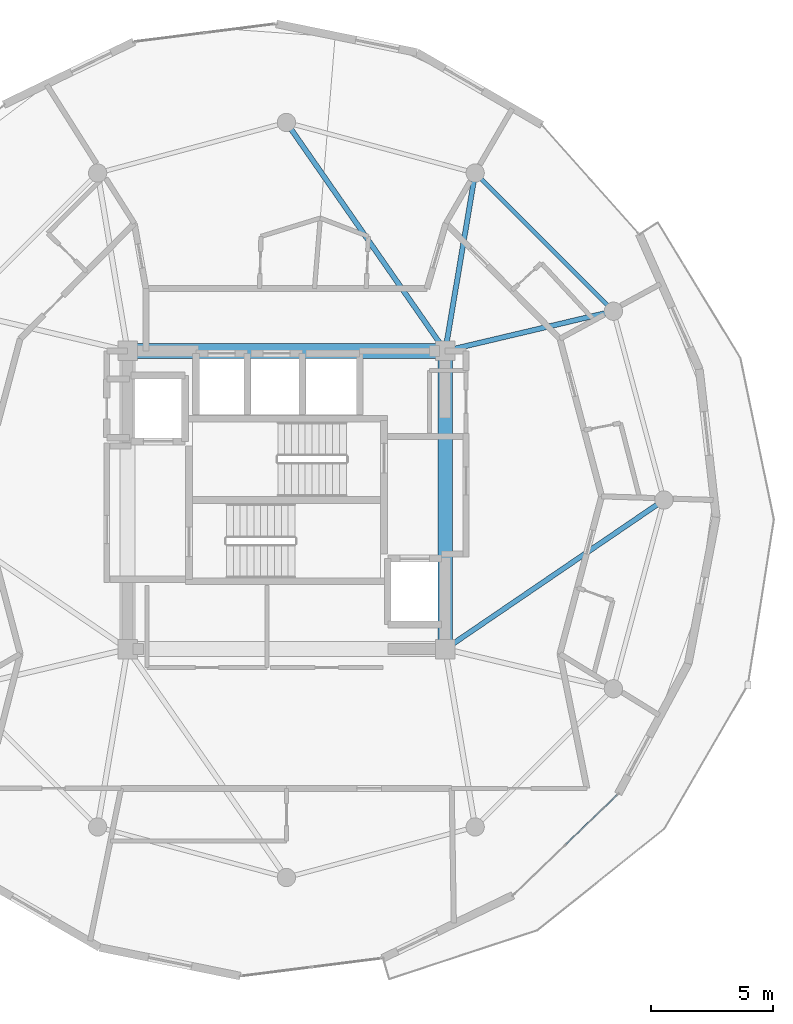
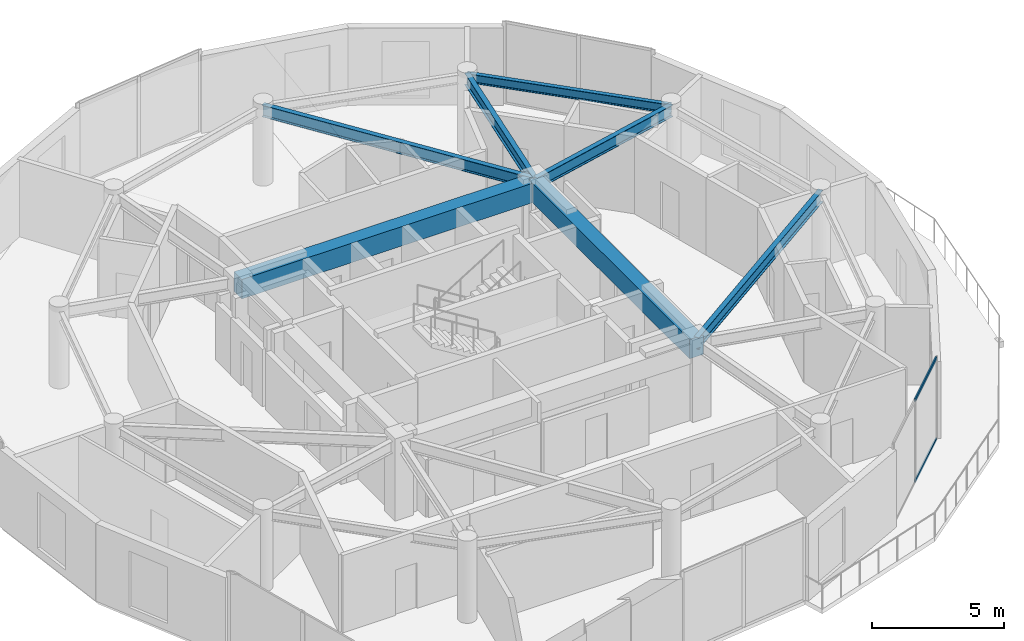
# One storey, part 10 of 23: 7 beams, 2 members, 1 element without a shape of its own.
"""IFC4 building model written with IfcOpenShell, lengths in metres."""

from ifc_helpers import new_model, si_unit, direction, frame, origin, origin_2d, place, context, subcontext, project, spatial, rectangle, hollow_rectangle, i_section, extrude, source, transform, mapped, material, layer, layer_set, material_profile, profile_set, type_object, element, aggregate, save


model = new_model("IFC4")

# Units and contexts
model_context = context("Model", 3, precision=1e-05, world=origin(), true_north=direction((0.0, 1.0)))
body_context = subcontext(model_context, "Body", "Model", "MODEL_VIEW")
ifc_project = project(units=[si_unit("LENGTHUNIT", "METRE"), si_unit("AREAUNIT", "SQUARE_METRE"), si_unit("VOLUMEUNIT", "CUBIC_METRE"), si_unit("PLANEANGLEUNIT", "RADIAN"), si_unit("MASSUNIT", "GRAM", prefix="KILO")], contexts=[model_context])

# Site, building, storey
site_placement = place(None, origin())
site = spatial("IfcSite", under=ifc_project, at=site_placement, CompositionType="ELEMENT")
building_placement = place(site_placement, origin())
building = spatial("IfcBuilding", under=site, at=building_placement, Name="Solvirekh Grand Hotel", CompositionType="ELEMENT")
storey_placement = place(building_placement, frame((0.0, 0.0, 285.800048828125)))
storey = spatial("IfcBuildingStorey", under=building, at=storey_placement, Name="L74", CompositionType="ELEMENT", Elevation=285.800048828125)

# Beams
ifc_material_1 = material(Name="Concrete C50/60", Category="concrete")
ifc_material_profile_1 = material_profile(ifc_material_1, rectangle(XDim=0.60009765625, YDim=0.89990234375, at=origin_2d()), Name="RC BEAM 600X900")
ifc_profile_set_1 = profile_set([ifc_material_profile_1], Name="Concrete C50/60")
beam_type_1 = type_object("IfcBeamType", Name="Beam_Core_RC900", PredefinedType="BEAM", material=ifc_profile_set_1)
beam_1_placement = place(storey_placement, frame((6.5, -6.10009765625, 3.119873046875), z_axis=(0.0, 1.0, 0.0), x_axis=(-1.0, 0.0, 0.0)))
element("IfcBeam", 1, at=beam_1_placement, inside=storey, type_object=beam_type_1, Name="L74 core coupling ring beam 2", PredefinedType="BEAM", context=body_context, shape_type="SweptSolid", body=[
    extrude(rectangle(XDim=0.60009765625, YDim=0.89990234375, at=origin_2d()), origin(), (0.0, 0.0, 1.0), 12.2001953125),
])
beam_2_placement = place(storey_placement, frame((6.5, 6.10009765625, 3.119873046875), z_axis=(-1.0, 0.0, 0.0), x_axis=(0.0, -1.0, 0.0)))
element("IfcBeam", 2, at=beam_2_placement, inside=storey, type_object=beam_type_1, Name="L74 core coupling ring beam 3", PredefinedType="BEAM", context=body_context, shape_type="SweptSolid", body=[
    extrude(rectangle(XDim=0.60009765625, YDim=0.89990234375, at=origin_2d()), origin(), (0.0, 0.0, 1.0), 13.0),
])
ifc_material_2 = material(Name="Steel S355", Category="steel")
ifc_material_profile_2 = material_profile(ifc_material_2, i_section(OverallWidth=0.2119140625, OverallDepth=0.5439453125, WebThickness=0.011962890625, FlangeThickness=0.01904296875, FilletRadius=0.013916015625, at=origin_2d()), Name="W530X123")
ifc_profile_set_2 = profile_set([ifc_material_profile_2], Name="Steel S355")
beam_type_2 = type_object("IfcBeamType", Name="Beam_Radial_W530H", PredefinedType="BEAM", material=ifc_profile_set_2)
beam_3_placement = place(storey_placement, frame((6.5, -6.10009765625, 3.2978515625), z_axis=(0.826319370306, 0.563201827285, 0.0), x_axis=(-0.563201827285, 0.826319370306, 0.0)))
element("IfcBeam", 3, at=beam_3_placement, inside=storey, type_object=beam_type_2, Name="L74 radial floor beam R01", PredefinedType="BEAM", context=body_context, shape_type="SweptSolid", body=[
    extrude(i_section(OverallWidth=0.2119140625, OverallDepth=0.5439453125, WebThickness=0.011962890625, FlangeThickness=0.01904296875, FilletRadius=0.013916015625, at=origin_2d()), origin(), (0.0, 0.0, 1.0), 10.8310546875),
])
beam_4_placement = place(storey_placement, frame((6.5, 6.10009765625, 3.2978515625), z_axis=(0.973221147544, 0.229870828888, 0.0), x_axis=(-0.229870828888, 0.973221147544, 0.0)))
element("IfcBeam", 4, at=beam_4_placement, inside=storey, type_object=beam_type_2, Name="L74 radial floor beam R02", PredefinedType="BEAM", context=body_context, shape_type="SweptSolid", body=[
    extrude(i_section(OverallWidth=0.2119140625, OverallDepth=0.5439453125, WebThickness=0.011962890625, FlangeThickness=0.01904296875, FilletRadius=0.013916015625, at=origin_2d()), origin(), (0.0, 0.0, 1.0), 7.069091796875),
])
beam_5_placement = place(storey_placement, frame((6.5, 6.10009765625, 3.2978515625), z_axis=(0.165954049106, 0.986133486697, 0.0), x_axis=(-0.986133486697, 0.165954049106, 0.0)))
element("IfcBeam", 5, at=beam_5_placement, inside=storey, type_object=beam_type_2, Name="L74 radial floor beam R03", PredefinedType="BEAM", context=body_context, shape_type="SweptSolid", body=[
    extrude(i_section(OverallWidth=0.2119140625, OverallDepth=0.5439453125, WebThickness=0.011962890625, FlangeThickness=0.01904296875, FilletRadius=0.013916015625, at=origin_2d()), origin(), (0.0, 0.0, 1.0), 7.382080078125),
])
beam_6_placement = place(storey_placement, frame((6.5, 6.10009765625, 3.2978515625), z_axis=(-0.570813192472, 0.821079959139, 0.0), x_axis=(-0.821079959139, -0.570813192472, 0.0)))
element("IfcBeam", 6, at=beam_6_placement, inside=storey, type_object=beam_type_2, Name="L74 radial floor beam R04", PredefinedType="BEAM", context=body_context, shape_type="SweptSolid", body=[
    extrude(i_section(OverallWidth=0.2119140625, OverallDepth=0.5439453125, WebThickness=0.011962890625, FlangeThickness=0.01904296875, FilletRadius=0.013916015625, at=origin_2d()), origin(), (0.0, 0.0, 1.0), 11.38720703125),
])
ifc_material_profile_3 = material_profile(ifc_material_2, i_section(OverallWidth=0.180908203125, OverallDepth=0.4169921875, WebThickness=0.010009765625, FlangeThickness=0.01611328125, FilletRadius=0.011962890625, at=origin_2d()), Name="W410X85")
ifc_profile_set_3 = profile_set([ifc_material_profile_3], Name="Steel S355")
beam_type_3 = type_object("IfcBeamType", Name="Spandrel_Ring_W410", PredefinedType="SPANDREL", material=ifc_profile_set_3)
beam_7_placement = place(storey_placement, frame((13.3798828125, 7.72509765625, 3.36083984375), z_axis=(-0.707106781187, 0.707106781187, 0.0), x_axis=(-0.707106781187, -0.707106781187, 0.0)))
element("IfcBeam", 7, at=beam_7_placement, inside=storey, type_object=beam_type_3, Name="L74 perimeter spandrel beam 2", PredefinedType="SPANDREL", context=body_context, shape_type="SweptSolid", body=[
    extrude(i_section(OverallWidth=0.180908203125, OverallDepth=0.4169921875, WebThickness=0.010009765625, FlangeThickness=0.01611328125, FilletRadius=0.011962890625, at=origin_2d()), origin(), (0.0, 0.0, 1.0), 7.9970703125),
])

# Curtain wall, members
ifc_material_3 = material(Name="Anodized Bronze Aluminium 6063-T6", Category="aluminium")
ifc_layer = layer(ifc_material_3, 0.159912109375)
ifc_layer_set = layer_set([ifc_layer], Name="Anodized Bronze Aluminium 6063-T6")
curtain_wall_type = type_object("IfcCurtainWallType", Name="CW_Sys4_HighZoneFlushBronzeCW", PredefinedType="NOTDEFINED", material=ifc_layer_set)
curtain_wall_placement = place(storey_placement, origin())
curtain_wall = element("IfcCurtainWall", 8, at=curtain_wall_placement, inside=storey, type_object=curtain_wall_type, Name="L74 unitised bronze-glass curtain wall CW-L74-C03", PredefinedType="NOTDEFINED")
ifc_material_profile_4 = material_profile(ifc_material_3, hollow_rectangle(XDim=0.054931640625, YDim=0.1201171875, WallThickness=0.00390625, at=origin_2d()), Name="ALU RHS 120X55X4")
ifc_profile_set_4 = profile_set([ifc_material_profile_4], Name="Anodized Bronze Aluminium 6063-T6")
member_type = type_object("IfcMemberType", Name="CWTransom_Sys4", PredefinedType="USERDEFINED", material=ifc_profile_set_4)
shared_shape = source(origin(), body_context, "Body", "SweptSolid", [
    extrude(hollow_rectangle(XDim=0.054931640625, YDim=0.1201171875, WallThickness=0.00390625, at=origin_2d()), origin(), (0.0, 0.0, 1.0), 2.90234375),
])
member_1_placement = place(storey_placement, frame((11.444091796875, -14.081787109375, 0.02734375), z_axis=(0.719653620356, 0.694333253351, 0.0), x_axis=(-0.694333253351, 0.719653620356, 0.0)))
member_1 = element("IfcMember", 9, at=member_1_placement, type_object=member_type, Name="U04 transom 2.1", ObjectType="TRANSOM", PredefinedType="USERDEFINED", context=body_context, shape_type="MappedRepresentation", body=[
    mapped(shared_shape, transform((0.0, 0.0, 0.0), x_axis=(1.0, 0.0, 0.0), y_axis=(0.0, 1.0, 0.0), z_axis=(0.0, 0.0, 1.0), scale=1.0)),
])
member_2_placement = place(storey_placement, frame((11.444091796875, -14.081787109375, 3.7724609375), z_axis=(0.719653620356, 0.694333253351, 0.0), x_axis=(-0.694333253351, 0.719653620356, 0.0)))
member_2 = element("IfcMember", 10, at=member_2_placement, type_object=member_type, Name="U04 transom 2.2", ObjectType="TRANSOM", PredefinedType="USERDEFINED", context=body_context, shape_type="MappedRepresentation", body=[
    mapped(shared_shape, transform((0.0, 0.0, 0.0), x_axis=(1.0, 0.0, 0.0), y_axis=(0.0, 1.0, 0.0), z_axis=(0.0, 0.0, 1.0), scale=1.0)),
])
aggregate(curtain_wall, [member_1, member_2])

save(model, "model.ifc")
